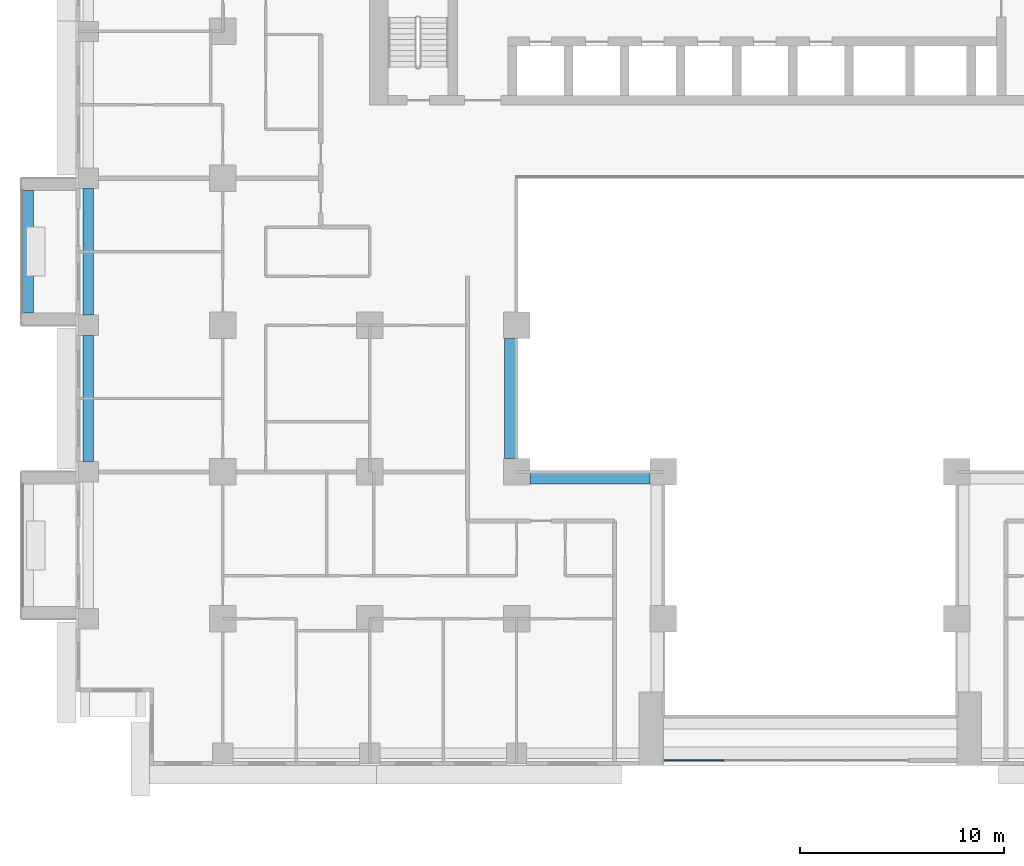
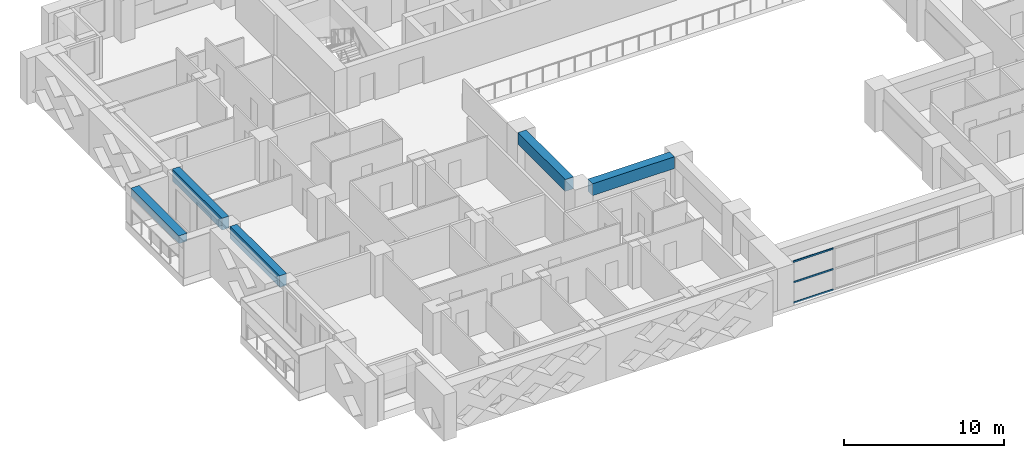
# One storey, part 3 of 16: 5 beams, 3 members, 1 element without a shape of its own.
"""IFC4 building model written with IfcOpenShell, lengths in metres."""

import ifcopenshell
import ifcopenshell.guid

model = None  # the IFC model being written
_history = None  # IfcOwnerHistory: only IFC2X3 demands one
_inside = {}  # id of a spatial element -> (the spatial element, [elements in it])
_under = {}  # id of a project, library or spatial element -> (it, [spatial elements below it])
_declared = {}  # id of a project -> (the project, [libraries it declares])
_typed = {}  # id of a type object -> (the type object, [elements of that type])
_made_of = {}  # id of a material, layer set ... -> (it, [elements and type objects made of it])


def new_model(schema):
    """Start an empty IFC model of exactly this schema.

    Asked for "IFC4X3", IfcOpenShell would pick the latest addendum, in which some entities
    have other attributes; the version numbers below select the first issue.
    IFC2X3 requires an IfcOwnerHistory on every rooted entity: one is made here for all.
    """
    global model, _history
    if schema == "IFC4X3":
        model = ifcopenshell.file(schema_version=(4, 3, 0, 0))
    else:
        model = ifcopenshell.file(schema=schema)
    _inside.clear()
    _under.clear()
    _declared.clear()
    _typed.clear()
    _made_of.clear()
    _history = None
    if model.schema == "IFC2X3":
        org = make("IfcOrganization", Name="unknown")
        user = make(
            "IfcPersonAndOrganization",
            ThePerson=make("IfcPerson", FamilyName="unknown"),
            TheOrganization=org,
        )
        app = make(
            "IfcApplication",
            ApplicationDeveloper=org,
            Version="unknown",
            ApplicationFullName="unknown",
            ApplicationIdentifier="unknown",
        )
        _history = make(
            "IfcOwnerHistory",
            OwningUser=user,
            OwningApplication=app,
            ChangeAction="ADDED",
            CreationDate=0,
        )
    return model


def make(cls, **values):
    """One entity of the class cls with the attributes given. An attribute that is None is left unset."""
    return model.create_entity(
        cls, **{name: value for name, value in values.items() if value is not None}
    )


def rooted(cls, **values):
    """An entity with a GlobalId (a new one), such as an element, a storey or a relation."""
    return make(cls, GlobalId=ifcopenshell.guid.new(), OwnerHistory=_history, **values)


def si_unit(unit_type, name, prefix=None):
    """IfcSIUnit, for example si_unit("LENGTHUNIT", "METRE", prefix="MILLI")."""
    return make("IfcSIUnit", UnitType=unit_type, Prefix=prefix, Name=name)


def assignment(units):
    """IfcUnitAssignment: the units of a project."""
    return None if units is None else make("IfcUnitAssignment", Units=units)


def point(xyz):
    """IfcCartesianPoint."""
    return None if xyz is None else make("IfcCartesianPoint", Coordinates=xyz)


def direction(xyz):
    """IfcDirection."""
    return None if xyz is None else make("IfcDirection", DirectionRatios=xyz)


def frame(location, z_axis=None, x_axis=None):
    """IfcAxis2Placement3D, a coordinate frame: its origin and axes. An axis left out is left unset."""
    return make(
        "IfcAxis2Placement3D",
        Location=point(location),
        Axis=direction(z_axis),
        RefDirection=direction(x_axis),
    )


def frame_2d(location, x_axis=None):
    """IfcAxis2Placement2D, a coordinate frame in the plane: its origin and x axis."""
    return make(
        "IfcAxis2Placement2D", Location=point(location), RefDirection=direction(x_axis)
    )


def origin():
    """The frame at (0, 0, 0) with its axes left unset."""
    return frame((0.0, 0.0, 0.0))


def origin_2d():
    """The frame at (0, 0) in the plane with its x axis left unset."""
    return frame_2d((0.0, 0.0))


def place(relative_to, where):
    """IfcLocalPlacement: puts the frame where relative to a parent placement (None: the world)."""
    return make(
        "IfcLocalPlacement", PlacementRelTo=relative_to, RelativePlacement=where
    )


def context(
    kind, dimensions, precision=None, world=None, true_north=None, identifier=None
):
    """IfcGeometricRepresentationContext, for example the 3D "Model" context."""
    return make(
        "IfcGeometricRepresentationContext",
        ContextIdentifier=identifier,
        ContextType=kind,
        CoordinateSpaceDimension=dimensions,
        Precision=precision,
        WorldCoordinateSystem=world,
        TrueNorth=true_north,
    )


def subcontext(parent, identifier, kind, view, scale=None):
    """IfcGeometricRepresentationSubContext, for example "Body" below "Model"."""
    return make(
        "IfcGeometricRepresentationSubContext",
        ContextIdentifier=identifier,
        ContextType=kind,
        ParentContext=parent,
        TargetScale=scale,
        TargetView=view,
    )


def project(units=None, contexts=None):
    """IfcProject with its units and contexts."""
    return rooted(
        "IfcProject",
        Name="project",
        RepresentationContexts=contexts,
        UnitsInContext=assignment(units),
    )


def spatial(cls, under=None, at=None, **own):
    """A site, building, storey or space (cls), placed at a placement, below another one or the project."""
    s = rooted(cls, ObjectPlacement=at, **own)
    if under is not None:
        _under.setdefault(under.id(), (under, []))[1].append(s)
    return s


def profile(cls, at=None, kind="AREA", **sizes):
    """A parametric profile (cls). Its sizes go by their IFC names, for example OverallWidth=200.0."""
    return make(cls, ProfileType=kind, Position=at, **sizes)


def rectangle(**sizes):
    """IfcRectangleProfileDef."""
    return profile("IfcRectangleProfileDef", **sizes)


def extrude(swept, where, along, depth):
    """IfcExtrudedAreaSolid: the profile swept, set in the frame where, extruded along a direction by depth."""
    return make(
        "IfcExtrudedAreaSolid",
        SweptArea=swept,
        Position=where,
        ExtrudedDirection=direction(along),
        Depth=depth,
    )


def shape(context_of_items, identifier, shape_type, items):
    """IfcShapeRepresentation: the items that make up one representation, for example the "Body"."""
    return make(
        "IfcShapeRepresentation",
        ContextOfItems=context_of_items,
        RepresentationIdentifier=identifier,
        RepresentationType=shape_type,
        Items=items,
    )


def source(mapping_origin, context_of_items, identifier, shape_type, items):
    """IfcRepresentationMap: a shape defined once, which mapped items show again and again."""
    return make(
        "IfcRepresentationMap",
        MappingOrigin=mapping_origin,
        MappedRepresentation=shape(context_of_items, identifier, shape_type, items),
    )


def transform(
    local_origin,
    x_axis=None,
    y_axis=None,
    z_axis=None,
    scale=None,
    scale2=None,
    scale3=None,
    uniform=True,
):
    """IfcCartesianTransformationOperator3D, or its non-uniform kind. x_axis, y_axis, z_axis: its Axis1, 2, 3."""
    if uniform:
        return make(
            "IfcCartesianTransformationOperator3D",
            Axis1=direction(x_axis),
            Axis2=direction(y_axis),
            LocalOrigin=point(local_origin),
            Scale=scale,
            Axis3=direction(z_axis),
        )
    return make(
        "IfcCartesianTransformationOperator3DnonUniform",
        Axis1=direction(x_axis),
        Axis2=direction(y_axis),
        LocalOrigin=point(local_origin),
        Scale=scale,
        Axis3=direction(z_axis),
        Scale2=scale2,
        Scale3=scale3,
    )


def mapped(mapping_source, mapping_target):
    """IfcMappedItem: shows the shape of a source again, moved by a transform."""
    return make(
        "IfcMappedItem", MappingSource=mapping_source, MappingTarget=mapping_target
    )


def material(Name=None, Category=None):
    """IfcMaterial."""
    return make("IfcMaterial", Name=Name, Category=Category)


def layer(
    of_material, thickness, ventilated=None, Name=None, Category=None, Priority=None
):
    """IfcMaterialLayer: one layer of a wall or slab, of a material (None: an air gap)."""
    return make(
        "IfcMaterialLayer",
        Material=of_material,
        LayerThickness=thickness,
        IsVentilated=ventilated,
        Name=Name,
        Category=Category,
        Priority=Priority,
    )


def layer_set(layers, Name=None):
    """IfcMaterialLayerSet."""
    return make("IfcMaterialLayerSet", MaterialLayers=layers, LayerSetName=Name)


def material_profile(
    of_material, cross_section, Name=None, Category=None, Priority=None
):
    """IfcMaterialProfile: a cross section and its material."""
    return make(
        "IfcMaterialProfile",
        Name=Name,
        Material=of_material,
        Profile=cross_section,
        Priority=Priority,
        Category=Category,
    )


def profile_set(profiles, Name=None, composite=None):
    """IfcMaterialProfileSet."""
    return make(
        "IfcMaterialProfileSet",
        Name=Name,
        MaterialProfiles=profiles,
        CompositeProfile=composite,
    )


def made_of(thing, what):
    """Note that an element or type object is made of a material, layer set ...; save() writes the relation."""
    if what is not None:
        _made_of.setdefault(what.id(), (what, []))[1].append(thing)
    return thing


def type_object(cls, material=None, **own):
    """A type object (cls), such as IfcWallType, which elements share."""
    return made_of(rooted(cls, **own), material)


def element(
    cls,
    number,
    at=None,
    inside=None,
    cuts=None,
    type_object=None,
    material=None,
    context=None,
    identifier="Body",
    shape_type=None,
    held_by="IfcProductDefinitionShape",
    body=None,
    shapes=None,
    **own,
):
    """One element of the class cls, such as IfcWall. Its Tag is "e" and its number.

    at: its placement. inside: the storey or other place that contains it. cuts: it is an
    opening in that element (IfcRelVoidsElement). A single representation is given by context,
    identifier, shape_type and body (its items); several are given by shapes. held_by: the class
    of the entity that holds the representations. save() writes the other relations.
    """
    e = rooted(cls, Tag="e%d" % number, ObjectPlacement=at, **own)
    if body is not None:
        shapes = [shape(context, identifier, shape_type, body)]
    if shapes is not None:
        e.Representation = make(held_by, Representations=shapes)
    if inside is not None:
        _inside.setdefault(inside.id(), (inside, []))[1].append(e)
    if cuts is not None:
        rooted(
            "IfcRelVoidsElement", RelatingBuildingElement=cuts, RelatedOpeningElement=e
        )
    if type_object is not None:
        _typed.setdefault(type_object.id(), (type_object, []))[1].append(e)
    return made_of(e, material)


def aggregate(whole, parts):
    """IfcRelAggregates: a whole, such as a stair, and the parts it consists of."""
    return rooted("IfcRelAggregates", RelatingObject=whole, RelatedObjects=parts)


def save(model, path):
    """Write the relations noted so far, then the file.

    IfcRelAggregates (storeys below a building ...), IfcRelContainedInSpatialStructure (elements
    in a storey), IfcRelDefinesByType, IfcRelAssociatesMaterial and IfcRelDeclares: one each for
    every whole, place, type object, material and project.
    """
    for whole, parts in _under.values():
        aggregate(whole, parts)
    for where, things in _inside.values():
        rooted(
            "IfcRelContainedInSpatialStructure",
            RelatedElements=things,
            RelatingStructure=where,
        )
    for kind, things in _typed.values():
        rooted("IfcRelDefinesByType", RelatedObjects=things, RelatingType=kind)
    for what, things in _made_of.values():
        rooted("IfcRelAssociatesMaterial", RelatedObjects=things, RelatingMaterial=what)
    for by, libraries in _declared.values():
        rooted("IfcRelDeclares", RelatingContext=by, RelatedDefinitions=libraries)
    model.write(path)


model = new_model("IFC4")

# Units and contexts
model_context = context("Model", 3, precision=1e-05, world=origin(), true_north=direction((0.0, 1.0)))
body_context = subcontext(model_context, "Body", "Model", "MODEL_VIEW")
ifc_project = project(units=[si_unit("LENGTHUNIT", "METRE"), si_unit("AREAUNIT", "SQUARE_METRE"), si_unit("VOLUMEUNIT", "CUBIC_METRE"), si_unit("PLANEANGLEUNIT", "RADIAN"), si_unit("MASSUNIT", "GRAM", prefix="KILO")], contexts=[model_context])

# Site, building, storey
site_placement = place(None, origin())
site = spatial("IfcSite", under=ifc_project, at=site_placement, CompositionType="ELEMENT")
building_placement = place(site_placement, origin())
building = spatial("IfcBuilding", under=site, at=building_placement, Name="Saffron Iwan Residences", CompositionType="ELEMENT")
storey_placement = place(building_placement, frame((0.0, 0.0, 90.0)))
storey = spatial("IfcBuildingStorey", under=building, at=storey_placement, Name="L23", CompositionType="ELEMENT", Elevation=90.0)

# Beams
ifc_material_1 = material(Name="Concrete C60/75", Category="concrete")
ifc_material_profile_1 = material_profile(ifc_material_1, rectangle(XDim=0.5, YDim=0.89990234375, at=origin_2d()), Name="RC 500x900")
ifc_profile_set_1 = profile_set([ifc_material_profile_1], Name="Concrete C60/75")
beam_type_1 = type_object("IfcBeamType", Name="SPANDREL BEAM RC 500x900 C60/75 TOP 3180", PredefinedType="SPANDREL", material=ifc_profile_set_1)
shared_shape_1 = source(origin(), body_context, "Body", "SweptSolid", [
    extrude(rectangle(XDim=0.5, YDim=0.89990234375, at=origin_2d()), origin(), (0.0, 0.0, 1.0), 6.199951171875),
])
for number, where, z_axis, x_axis, name in (
    (1, (15.0, 48.5, 2.72998046875), (0.0, 1.0, 0.0), (-1.0, 0.0, 0.0), "Spandrel beam"),
    (2, (15.0, 55.699951171875, 2.72998046875), (0.0, 1.0, 0.0), (-1.0, 0.0, 0.0), "Spandrel beam"),
):
    element("IfcBeam", number, at=place(storey_placement, frame(where, z_axis=z_axis, x_axis=x_axis)), inside=storey, type_object=beam_type_1, Name=name, PredefinedType="SPANDREL", context=body_context, shape_type="MappedRepresentation", body=[
        mapped(shared_shape_1, transform((0.0, 0.0, 0.0))),
    ])
ifc_material_profile_2 = material_profile(ifc_material_1, rectangle(XDim=0.60009765625, YDim=0.89990234375, at=origin_2d()), Name="RC 600x900")
ifc_profile_set_2 = profile_set([ifc_material_profile_2], Name="Concrete C60/75")
beam_type_2 = type_object("IfcBeamType", Name="BEAM RC 600x900 C60/75 TOP 3180", PredefinedType="BEAM", material=ifc_profile_set_2)
shared_shape_2 = source(origin(), body_context, "Body", "SweptSolid", [
    extrude(rectangle(XDim=0.60009765625, YDim=0.89990234375, at=origin_2d()), origin(), (0.0, 0.0, 1.0), 5.900146484375),
])
for number, where, z_axis, x_axis, name in (
    (3, (42.550048828125, 47.699951171875, 2.72998046875), (-1.0, 0.0, 0.0), (0.0, -1.0, 0.0), "Atrium edge beam"),
    (4, (35.699951171875, 48.64990234375, 2.72998046875), (0.0, 1.0, 0.0), (-1.0, 0.0, 0.0), "Atrium edge beam"),
):
    element("IfcBeam", number, at=place(storey_placement, frame(where, z_axis=z_axis, x_axis=x_axis)), inside=storey, type_object=beam_type_2, Name=name, PredefinedType="BEAM", context=body_context, shape_type="MappedRepresentation", body=[
        mapped(shared_shape_2, transform((0.0, 0.0, 0.0))),
    ])

# Curtain wall, members
ifc_material_2 = material(Name="Clear glass, laminated double glazed", Category="glass")
ifc_layer = layer(ifc_material_2, 0.199951171875)
ifc_layer_set = layer_set([ifc_layer], Name="Clear glass, laminated double glazed")
curtain_wall_type = type_object("IfcCurtainWallType", Name="CW-B IWAN PORTAL", PredefinedType="NOTDEFINED", material=ifc_layer_set)
curtain_wall_placement = place(storey_placement, origin())
curtain_wall = element("IfcCurtainWall", 5, at=curtain_wall_placement, inside=storey, type_object=curtain_wall_type, Name="Iwan portal glazing L23.1", PredefinedType="NOTDEFINED")
ifc_material_3 = material(Name="Aluminium 6063-T6", Category="aluminium")
ifc_material_profile_3 = material_profile(ifc_material_3, rectangle(XDim=0.06005859375, YDim=0.1201171875, at=origin_2d()), Name="CW-B TRANSOM 60 x 120")
ifc_profile_set_3 = profile_set([ifc_material_profile_3], Name="Aluminium 6063-T6")
member_type = type_object("IfcMemberType", Name="CW-B TRANSOM 60 x 120", PredefinedType="USERDEFINED", material=ifc_profile_set_3)
shared_shape_3 = source(origin(), body_context, "Body", "SweptSolid", [
    extrude(rectangle(XDim=0.06005859375, YDim=0.1201171875, at=origin_2d()), origin(), (0.0, 0.0, 1.0), 2.909912109375),
])
member_1_placement = place(storey_placement, frame((43.260009765625, 33.85009765625, 0.030029296875), z_axis=(1.0, 0.0, 0.0), x_axis=(0.0, 1.0, 0.0)))
member_1 = element("IfcMember", 6, at=member_1_placement, type_object=member_type, Name="CW-B transom 1.1", ObjectType="TRANSOM", PredefinedType="USERDEFINED", context=body_context, shape_type="MappedRepresentation", body=[
    mapped(shared_shape_3, transform((0.0, 0.0, 0.0))),
])
member_2_placement = place(storey_placement, frame((43.260009765625, 33.85009765625, 1.590087890625), z_axis=(1.0, 0.0, 0.0), x_axis=(0.0, 1.0, 0.0)))
member_2 = element("IfcMember", 7, at=member_2_placement, type_object=member_type, Name="CW-B transom 1.2", ObjectType="TRANSOM", PredefinedType="USERDEFINED", context=body_context, shape_type="MappedRepresentation", body=[
    mapped(shared_shape_3, transform((0.0, 0.0, 0.0))),
])
member_3_placement = place(storey_placement, frame((43.260009765625, 33.85009765625, 3.14990234375), z_axis=(1.0, 0.0, 0.0), x_axis=(0.0, 1.0, 0.0)))
member_3 = element("IfcMember", 8, at=member_3_placement, type_object=member_type, Name="CW-B transom 1.3", ObjectType="TRANSOM", PredefinedType="USERDEFINED", context=body_context, shape_type="MappedRepresentation", body=[
    mapped(shared_shape_3, transform((0.0, 0.0, 0.0))),
])
aggregate(curtain_wall, [member_1, member_2, member_3])

# Beam
ifc_material_4 = material(Name="Concrete C50/60 white painted", Category="concrete")
ifc_material_profile_4 = material_profile(ifc_material_4, rectangle(XDim=0.60009765625, YDim=0.60009765625, at=origin_2d()), Name="BALCONY FASCIA BEAM 600 x 600")
ifc_profile_set_4 = profile_set([ifc_material_profile_4], Name="Concrete C50/60 white painted")
beam_type_3 = type_object("IfcBeamType", Name="BALCONY FASCIA BEAM 600 x 600", PredefinedType="BEAM", material=ifc_profile_set_4)
shared_shape_4 = source(origin(), body_context, "Body", "SweptSolid", [
    extrude(rectangle(XDim=0.60009765625, YDim=0.60009765625, at=origin_2d()), origin(), (0.0, 0.0, 1.0), 6.0),
])
beam_placement = place(storey_placement, frame((12.0, 61.800048828125, 2.550048828125), z_axis=(0.0, -1.0, 0.0), x_axis=(1.0, 0.0, 0.0)))
element("IfcBeam", 9, at=beam_placement, inside=storey, type_object=beam_type_3, Name="Balcony fascia beam L23 F8-0", PredefinedType="BEAM", context=body_context, shape_type="MappedRepresentation", body=[
    mapped(shared_shape_4, transform((0.0, 0.0, 0.0))),
])

save(model, "model.ifc")
